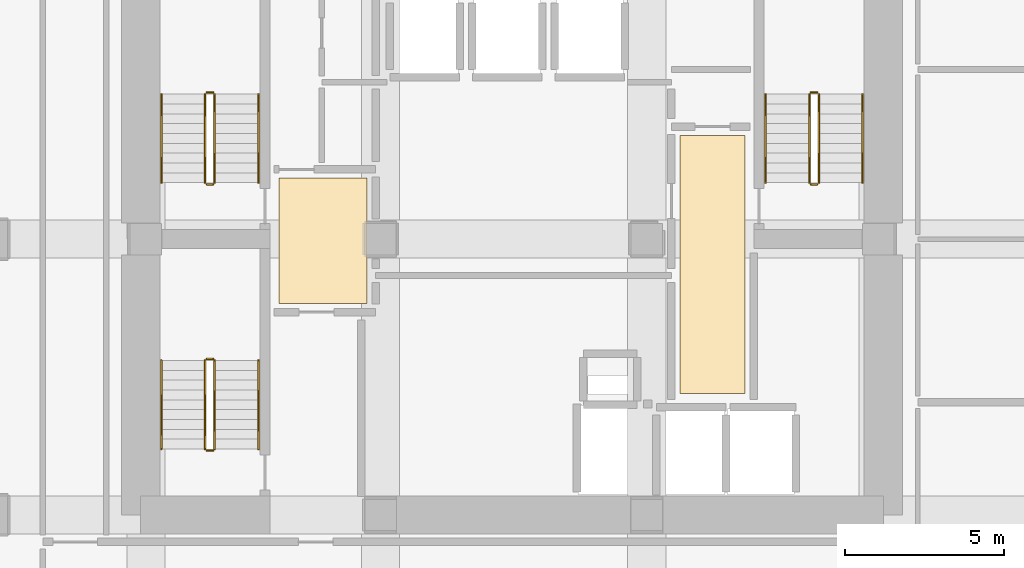
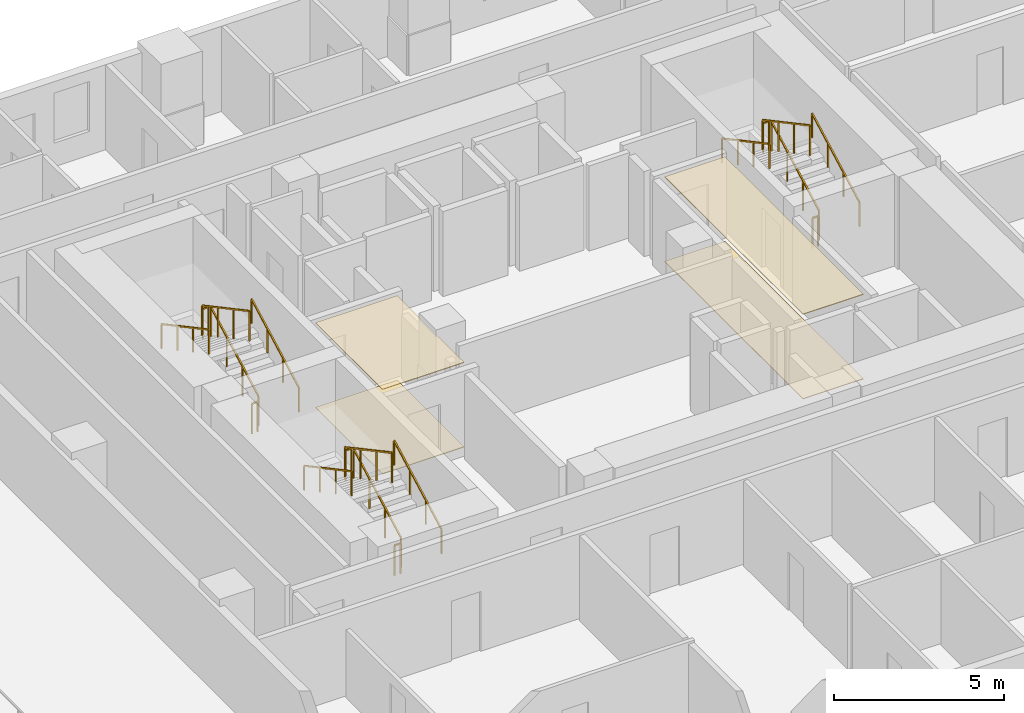
# One storey, part 9 of 10: 18 railings, 4 coverings.
"""IFC4 building model written with IfcOpenShell, lengths in metres."""

from ifc_helpers import new_model, si_unit, direction, frame, origin, origin_2d, place, context, subcontext, project, spatial, polyline, rectangle, outline, extrude, material, layer, layer_set, type_object, element, save


model = new_model("IFC4")

# Units and contexts
model_context = context("Model", 3, precision=1e-05, world=origin(), true_north=direction((0.0, 1.0)))
body_context = subcontext(model_context, "Body", "Model", "MODEL_VIEW")
ifc_project = project(units=[si_unit("LENGTHUNIT", "METRE"), si_unit("AREAUNIT", "SQUARE_METRE"), si_unit("VOLUMEUNIT", "CUBIC_METRE"), si_unit("PLANEANGLEUNIT", "RADIAN"), si_unit("MASSUNIT", "GRAM", prefix="KILO")], contexts=[model_context])

# Site, building, storey
site_placement = place(None, origin())
site = spatial("IfcSite", under=ifc_project, at=site_placement, CompositionType="ELEMENT")
building_placement = place(site_placement, origin())
building = spatial("IfcBuilding", under=site, at=building_placement, Name="Solanera Arch Residences", CompositionType="ELEMENT")
storey_placement = place(building_placement, frame((0.0, 0.0, 41.919921875)))
storey = spatial("IfcBuildingStorey", under=building, at=storey_placement, Name="L11", CompositionType="ELEMENT", Elevation=41.919921875)

# Coverings
ifc_material_1 = material(Name="Porcelain Acoustic Floor Tile", Category="ceramic")
ifc_layer_1 = layer(ifc_material_1, 0.02001953125)
ifc_layer_set_1 = layer_set([ifc_layer_1], Name="Porcelain Acoustic Floor Tile")
covering_type_1 = type_object("IfcCoveringType", Name="Porcelain Acoustic Floor Finish FLR-20", PredefinedType="FLOORING", material=ifc_layer_set_1)
covering_1_placement = place(storey_placement, origin())
element("IfcCovering", 1, at=covering_1_placement, inside=storey, type_object=covering_type_1, Name="L11-FFL-W Porcelain Floor Finish", PredefinedType="FLOORING", context=body_context, shape_type="SweptSolid", body=[
    extrude(outline(polyline([(20.375, 28.675048828125), (17.594970703125, 28.675048828125), (17.594970703125, 32.625), (20.375, 32.625), (20.375, 28.675048828125)])), origin(), (0.0, 0.0, 1.0), 0.02001953125),
])
covering_2_placement = place(storey_placement, origin())
element("IfcCovering", 2, at=covering_2_placement, inside=storey, type_object=covering_type_1, Name="L11-FFL-E Porcelain Floor Finish", PredefinedType="FLOORING", context=body_context, shape_type="SweptSolid", body=[
    extrude(outline(polyline([(32.304931640625, 25.824951171875), (30.25, 25.824951171875), (30.25, 33.97509765625), (32.304931640625, 33.97509765625), (32.304931640625, 25.824951171875)])), origin(), (0.0, 0.0, 1.0), 0.02001953125),
])

# Railings
ifc_material_2 = material(Name="Steel S355 (ASTM A992 / A572 Grade 50)", Category="steel")
railing_type_1 = type_object("IfcRailingType", Name="Stair Guardrail GR-1100", PredefinedType="GUARDRAIL", material=ifc_material_2)
railing_1_placement = place(storey_placement, frame((15.570068359375, 32.47998046875, 0.151123046875)))
element("IfcRailing", 3, at=railing_1_placement, inside=storey, type_object=railing_type_1, Name="L11 ST-T1 stair guard 1", PredefinedType="GUARDRAIL", context=body_context, shape_type="SweptSolid", body=[
    extrude(rectangle(XDim=0.048095703125, YDim=0.048095703125, at=origin_2d()), frame((0.0, 0.0, 1.076171875), z_axis=(0.0, 0.881580869306, 0.472033018838), x_axis=(-1.0, 0.0, 0.0)), (0.0, 0.0, 1.0), 3.164794921875),
    extrude(rectangle(XDim=0.0419921875, YDim=0.0419921875, at=origin_2d()), origin(), (0.0, 0.0, 1.0), 1.052001953125),
    extrude(rectangle(XDim=0.0419921875, YDim=0.0419921875, at=origin_2d()), frame((0.0, 0.929931640625, 0.498046875)), (0.0, 0.0, 1.0), 1.052001953125),
    extrude(rectangle(XDim=0.0419921875, YDim=0.0419921875, at=origin_2d()), frame((0.0, 1.860107421875, 0.995849609375)), (0.0, 0.0, 1.0), 1.052001953125),
    extrude(rectangle(XDim=0.0419921875, YDim=0.0419921875, at=origin_2d()), frame((0.0, 2.7900390625, 1.493896484375)), (0.0, 0.0, 1.0), 1.052001953125),
])
railing_2_placement = place(storey_placement, frame((15.52001953125, 35.320068359375, 1.64501953125)))
element("IfcRailing", 4, at=railing_2_placement, inside=storey, type_object=railing_type_1, Name="L11 ST-T1 stair guard 2", PredefinedType="GUARDRAIL", context=body_context, shape_type="SweptSolid", body=[
    extrude(rectangle(XDim=0.048095703125, YDim=0.048095703125, at=origin_2d()), frame((0.0, 0.0, 1.076171875), z_axis=(-1.0, 0.0, 0.0), x_axis=(0.0, -1.0, 0.0)), (0.0, 0.0, 1.0), 0.199951171875),
    extrude(rectangle(XDim=0.0419921875, YDim=0.0419921875, at=origin_2d()), origin(), (0.0, 0.0, 1.0), 1.052001953125),
    extrude(rectangle(XDim=0.0419921875, YDim=0.0419921875, at=origin_2d()), frame((-0.199951171875, 0.0, 0.0)), (0.0, 0.0, 1.0), 1.052001953125),
])
railing_3_placement = place(storey_placement, frame((15.27001953125, 35.27001953125, 1.81103515625)))
element("IfcRailing", 5, at=railing_3_placement, inside=storey, type_object=railing_type_1, Name="L11 ST-T1 stair guard 3", PredefinedType="GUARDRAIL", context=body_context, shape_type="SweptSolid", body=[
    extrude(rectangle(XDim=0.048095703125, YDim=0.048095703125, at=origin_2d()), frame((0.0, 0.0, 1.076171875), z_axis=(0.0, -0.881548766853, 0.472092969298), x_axis=(1.0, 0.0, 0.0)), (0.0, 0.0, 1.0), 3.1650390625),
    extrude(rectangle(XDim=0.0419921875, YDim=0.0419921875, at=origin_2d()), origin(), (0.0, 0.0, 1.0), 1.052001953125),
    extrude(rectangle(XDim=0.0419921875, YDim=0.0419921875, at=origin_2d()), frame((0.0, -0.929931640625, 0.498046875)), (0.0, 0.0, 1.0), 1.052001953125),
    extrude(rectangle(XDim=0.0419921875, YDim=0.0419921875, at=origin_2d()), frame((0.0, -1.860107421875, 0.99609375)), (0.0, 0.0, 1.0), 1.052001953125),
    extrude(rectangle(XDim=0.0419921875, YDim=0.0419921875, at=origin_2d()), frame((0.0, -2.7900390625, 1.494140625)), (0.0, 0.0, 1.0), 1.052001953125),
])
railing_4_placement = place(storey_placement, frame((15.52001953125, 32.429931640625, -0.014892578125)))
element("IfcRailing", 6, at=railing_4_placement, inside=storey, type_object=railing_type_1, Name="L11 ST-T1 stair guard 4", PredefinedType="GUARDRAIL", context=body_context, shape_type="SweptSolid", body=[
    extrude(rectangle(XDim=0.048095703125, YDim=0.048095703125, at=origin_2d()), frame((0.0, 0.0, 1.076171875), z_axis=(-1.0, 0.0, 0.0), x_axis=(0.0, -1.0, 0.0)), (0.0, 0.0, 1.0), 0.199951171875),
    extrude(rectangle(XDim=0.0419921875, YDim=0.0419921875, at=origin_2d()), origin(), (0.0, 0.0, 1.0), 1.052001953125),
    extrude(rectangle(XDim=0.0419921875, YDim=0.0419921875, at=origin_2d()), frame((-0.199951171875, 0.0, 0.0)), (0.0, 0.0, 1.0), 1.052001953125),
])
railing_5_placement = place(storey_placement, frame((34.6298828125, 32.47998046875, 0.151123046875)))
element("IfcRailing", 7, at=railing_5_placement, inside=storey, type_object=railing_type_1, Name="L11 ST-T2 stair guard 1", PredefinedType="GUARDRAIL", context=body_context, shape_type="SweptSolid", body=[
    extrude(rectangle(XDim=0.048095703125, YDim=0.048095703125, at=origin_2d()), frame((0.0, 0.0, 1.076171875), z_axis=(0.0, 0.881580869306, 0.472033018838), x_axis=(-1.0, 0.0, 0.0)), (0.0, 0.0, 1.0), 3.164794921875),
    extrude(rectangle(XDim=0.0419921875, YDim=0.0419921875, at=origin_2d()), origin(), (0.0, 0.0, 1.0), 1.052001953125),
    extrude(rectangle(XDim=0.0419921875, YDim=0.0419921875, at=origin_2d()), frame((0.0, 0.929931640625, 0.498046875)), (0.0, 0.0, 1.0), 1.052001953125),
    extrude(rectangle(XDim=0.0419921875, YDim=0.0419921875, at=origin_2d()), frame((0.0, 1.860107421875, 0.995849609375)), (0.0, 0.0, 1.0), 1.052001953125),
    extrude(rectangle(XDim=0.0419921875, YDim=0.0419921875, at=origin_2d()), frame((0.0, 2.7900390625, 1.493896484375)), (0.0, 0.0, 1.0), 1.052001953125),
])
railing_6_placement = place(storey_placement, frame((34.580078125, 35.320068359375, 1.64501953125)))
element("IfcRailing", 8, at=railing_6_placement, inside=storey, type_object=railing_type_1, Name="L11 ST-T2 stair guard 2", PredefinedType="GUARDRAIL", context=body_context, shape_type="SweptSolid", body=[
    extrude(rectangle(XDim=0.048095703125, YDim=0.048095703125, at=origin_2d()), frame((0.0, 0.0, 1.076171875), z_axis=(-1.0, 0.0, 0.0), x_axis=(0.0, -1.0, 0.0)), (0.0, 0.0, 1.0), 0.2001953125),
    extrude(rectangle(XDim=0.0419921875, YDim=0.0419921875, at=origin_2d()), origin(), (0.0, 0.0, 1.0), 1.052001953125),
    extrude(rectangle(XDim=0.0419921875, YDim=0.0419921875, at=origin_2d()), frame((-0.2001953125, 0.0, 0.0)), (0.0, 0.0, 1.0), 1.052001953125),
])
railing_7_placement = place(storey_placement, frame((34.330078125, 35.27001953125, 1.81103515625)))
element("IfcRailing", 9, at=railing_7_placement, inside=storey, type_object=railing_type_1, Name="L11 ST-T2 stair guard 3", PredefinedType="GUARDRAIL", context=body_context, shape_type="SweptSolid", body=[
    extrude(rectangle(XDim=0.048095703125, YDim=0.048095703125, at=origin_2d()), frame((0.0, 0.0, 1.076171875), z_axis=(0.0, -0.881548766853, 0.472092969298), x_axis=(1.0, 0.0, 0.0)), (0.0, 0.0, 1.0), 3.1650390625),
    extrude(rectangle(XDim=0.0419921875, YDim=0.0419921875, at=origin_2d()), origin(), (0.0, 0.0, 1.0), 1.052001953125),
    extrude(rectangle(XDim=0.0419921875, YDim=0.0419921875, at=origin_2d()), frame((0.0, -0.929931640625, 0.498046875)), (0.0, 0.0, 1.0), 1.052001953125),
    extrude(rectangle(XDim=0.0419921875, YDim=0.0419921875, at=origin_2d()), frame((0.0, -1.860107421875, 0.99609375)), (0.0, 0.0, 1.0), 1.052001953125),
    extrude(rectangle(XDim=0.0419921875, YDim=0.0419921875, at=origin_2d()), frame((0.0, -2.7900390625, 1.494140625)), (0.0, 0.0, 1.0), 1.052001953125),
])
railing_8_placement = place(storey_placement, frame((34.580078125, 32.429931640625, -0.014892578125)))
element("IfcRailing", 10, at=railing_8_placement, inside=storey, type_object=railing_type_1, Name="L11 ST-T2 stair guard 4", PredefinedType="GUARDRAIL", context=body_context, shape_type="SweptSolid", body=[
    extrude(rectangle(XDim=0.048095703125, YDim=0.048095703125, at=origin_2d()), frame((0.0, 0.0, 1.076171875), z_axis=(-1.0, 0.0, 0.0), x_axis=(0.0, -1.0, 0.0)), (0.0, 0.0, 1.0), 0.2001953125),
    extrude(rectangle(XDim=0.0419921875, YDim=0.0419921875, at=origin_2d()), origin(), (0.0, 0.0, 1.0), 1.052001953125),
    extrude(rectangle(XDim=0.0419921875, YDim=0.0419921875, at=origin_2d()), frame((-0.2001953125, 0.0, 0.0)), (0.0, 0.0, 1.0), 1.052001953125),
])
railing_9_placement = place(storey_placement, frame((15.570068359375, 24.080078125, 0.151123046875)))
element("IfcRailing", 11, at=railing_9_placement, inside=storey, type_object=railing_type_1, Name="L11 ST-T3 stair guard 1", PredefinedType="GUARDRAIL", context=body_context, shape_type="SweptSolid", body=[
    extrude(rectangle(XDim=0.048095703125, YDim=0.048095703125, at=origin_2d()), frame((0.0, 0.0, 1.076171875), z_axis=(0.0, 0.881580869306, 0.472033018838), x_axis=(-1.0, 0.0, 0.0)), (0.0, 0.0, 1.0), 3.164794921875),
    extrude(rectangle(XDim=0.0419921875, YDim=0.0419921875, at=origin_2d()), origin(), (0.0, 0.0, 1.0), 1.052001953125),
    extrude(rectangle(XDim=0.0419921875, YDim=0.0419921875, at=origin_2d()), frame((0.0, 0.929931640625, 0.498046875)), (0.0, 0.0, 1.0), 1.052001953125),
    extrude(rectangle(XDim=0.0419921875, YDim=0.0419921875, at=origin_2d()), frame((0.0, 1.860107421875, 0.995849609375)), (0.0, 0.0, 1.0), 1.052001953125),
    extrude(rectangle(XDim=0.0419921875, YDim=0.0419921875, at=origin_2d()), frame((0.0, 2.7900390625, 1.493896484375)), (0.0, 0.0, 1.0), 1.052001953125),
])
railing_10_placement = place(storey_placement, frame((15.52001953125, 26.919921875, 1.64501953125)))
element("IfcRailing", 12, at=railing_10_placement, inside=storey, type_object=railing_type_1, Name="L11 ST-T3 stair guard 2", PredefinedType="GUARDRAIL", context=body_context, shape_type="SweptSolid", body=[
    extrude(rectangle(XDim=0.048095703125, YDim=0.048095703125, at=origin_2d()), frame((0.0, 0.0, 1.076171875), z_axis=(-1.0, 0.0, 0.0), x_axis=(0.0, -1.0, 0.0)), (0.0, 0.0, 1.0), 0.199951171875),
    extrude(rectangle(XDim=0.0419921875, YDim=0.0419921875, at=origin_2d()), origin(), (0.0, 0.0, 1.0), 1.052001953125),
    extrude(rectangle(XDim=0.0419921875, YDim=0.0419921875, at=origin_2d()), frame((-0.199951171875, 0.0, 0.0)), (0.0, 0.0, 1.0), 1.052001953125),
])
railing_11_placement = place(storey_placement, frame((15.27001953125, 26.8701171875, 1.81103515625)))
element("IfcRailing", 13, at=railing_11_placement, inside=storey, type_object=railing_type_1, Name="L11 ST-T3 stair guard 3", PredefinedType="GUARDRAIL", context=body_context, shape_type="SweptSolid", body=[
    extrude(rectangle(XDim=0.048095703125, YDim=0.048095703125, at=origin_2d()), frame((0.0, 0.0, 1.076171875), z_axis=(0.0, -0.881548766853, 0.472092969298), x_axis=(1.0, 0.0, 0.0)), (0.0, 0.0, 1.0), 3.1650390625),
    extrude(rectangle(XDim=0.0419921875, YDim=0.0419921875, at=origin_2d()), origin(), (0.0, 0.0, 1.0), 1.052001953125),
    extrude(rectangle(XDim=0.0419921875, YDim=0.0419921875, at=origin_2d()), frame((0.0, -0.929931640625, 0.498046875)), (0.0, 0.0, 1.0), 1.052001953125),
    extrude(rectangle(XDim=0.0419921875, YDim=0.0419921875, at=origin_2d()), frame((0.0, -1.860107421875, 0.99609375)), (0.0, 0.0, 1.0), 1.052001953125),
    extrude(rectangle(XDim=0.0419921875, YDim=0.0419921875, at=origin_2d()), frame((0.0, -2.7900390625, 1.494140625)), (0.0, 0.0, 1.0), 1.052001953125),
])
railing_12_placement = place(storey_placement, frame((15.52001953125, 24.030029296875, -0.014892578125)))
element("IfcRailing", 14, at=railing_12_placement, inside=storey, type_object=railing_type_1, Name="L11 ST-T3 stair guard 4", PredefinedType="GUARDRAIL", context=body_context, shape_type="SweptSolid", body=[
    extrude(rectangle(XDim=0.048095703125, YDim=0.048095703125, at=origin_2d()), frame((0.0, 0.0, 1.076171875), z_axis=(-1.0, 0.0, 0.0), x_axis=(0.0, -1.0, 0.0)), (0.0, 0.0, 1.0), 0.199951171875),
    extrude(rectangle(XDim=0.0419921875, YDim=0.0419921875, at=origin_2d()), origin(), (0.0, 0.0, 1.0), 1.052001953125),
    extrude(rectangle(XDim=0.0419921875, YDim=0.0419921875, at=origin_2d()), frame((-0.199951171875, 0.0, 0.0)), (0.0, 0.0, 1.0), 1.052001953125),
])
ifc_material_3 = material(Name="Steel S355 (ASTM A992 / A572 Grade 50)", Category="steel")
railing_type_2 = type_object("IfcRailingType", Name="Stair Wall Handrail HR-920", PredefinedType="HANDRAIL", material=ifc_material_3)
railing_13_placement = place(storey_placement, frame((16.949951171875, 32.47998046875, 0.166015625)))
element("IfcRailing", 15, at=railing_13_placement, inside=storey, type_object=railing_type_2, Name="L11 ST-T1 stair handrail 1", PredefinedType="HANDRAIL", context=body_context, shape_type="SweptSolid", body=[
    extrude(rectangle(XDim=0.048095703125, YDim=0.048095703125, at=origin_2d()), frame((0.0, 0.0, 0.8759765625), z_axis=(0.0, 0.881548766853, 0.472092969298), x_axis=(-1.0, 0.0, 0.0)), (0.0, 0.0, 1.0), 3.1650390625),
    extrude(rectangle(XDim=0.0419921875, YDim=0.0419921875, at=origin_2d()), origin(), (0.0, 0.0, 1.0), 0.851806640625),
    extrude(rectangle(XDim=0.0419921875, YDim=0.0419921875, at=origin_2d()), frame((0.0, 0.929931640625, 0.498046875)), (0.0, 0.0, 1.0), 0.851806640625),
    extrude(rectangle(XDim=0.0419921875, YDim=0.0419921875, at=origin_2d()), frame((0.0, 1.860107421875, 0.99609375)), (0.0, 0.0, 1.0), 0.851806640625),
    extrude(rectangle(XDim=0.0419921875, YDim=0.0419921875, at=origin_2d()), frame((0.0, 2.7900390625, 1.494140625)), (0.0, 0.0, 1.0), 0.851806640625),
])
railing_14_placement = place(storey_placement, frame((13.889892578125, 35.27001953125, 1.826171875)))
element("IfcRailing", 16, at=railing_14_placement, inside=storey, type_object=railing_type_2, Name="L11 ST-T1 stair handrail 2", PredefinedType="HANDRAIL", context=body_context, shape_type="SweptSolid", body=[
    extrude(rectangle(XDim=0.048095703125, YDim=0.048095703125, at=origin_2d()), frame((0.0, 0.0, 0.8759765625), z_axis=(0.0, -0.881580869306, 0.472033018838), x_axis=(1.0, 0.0, 0.0)), (0.0, 0.0, 1.0), 3.164794921875),
    extrude(rectangle(XDim=0.0419921875, YDim=0.0419921875, at=origin_2d()), origin(), (0.0, 0.0, 1.0), 0.851806640625),
    extrude(rectangle(XDim=0.0419921875, YDim=0.0419921875, at=origin_2d()), frame((0.0, -0.929931640625, 0.498046875)), (0.0, 0.0, 1.0), 0.851806640625),
    extrude(rectangle(XDim=0.0419921875, YDim=0.0419921875, at=origin_2d()), frame((0.0, -1.860107421875, 0.995849609375)), (0.0, 0.0, 1.0), 0.851806640625),
    extrude(rectangle(XDim=0.0419921875, YDim=0.0419921875, at=origin_2d()), frame((0.0, -2.7900390625, 1.493896484375)), (0.0, 0.0, 1.0), 0.851806640625),
])
railing_15_placement = place(storey_placement, frame((36.010009765625, 32.47998046875, 0.166015625)))
element("IfcRailing", 17, at=railing_15_placement, inside=storey, type_object=railing_type_2, Name="L11 ST-T2 stair handrail 1", PredefinedType="HANDRAIL", context=body_context, shape_type="SweptSolid", body=[
    extrude(rectangle(XDim=0.048095703125, YDim=0.048095703125, at=origin_2d()), frame((0.0, 0.0, 0.8759765625), z_axis=(0.0, 0.881548766853, 0.472092969298), x_axis=(-1.0, 0.0, 0.0)), (0.0, 0.0, 1.0), 3.1650390625),
    extrude(rectangle(XDim=0.0419921875, YDim=0.0419921875, at=origin_2d()), origin(), (0.0, 0.0, 1.0), 0.851806640625),
    extrude(rectangle(XDim=0.0419921875, YDim=0.0419921875, at=origin_2d()), frame((0.0, 0.929931640625, 0.498046875)), (0.0, 0.0, 1.0), 0.851806640625),
    extrude(rectangle(XDim=0.0419921875, YDim=0.0419921875, at=origin_2d()), frame((0.0, 1.860107421875, 0.99609375)), (0.0, 0.0, 1.0), 0.851806640625),
    extrude(rectangle(XDim=0.0419921875, YDim=0.0419921875, at=origin_2d()), frame((0.0, 2.7900390625, 1.494140625)), (0.0, 0.0, 1.0), 0.851806640625),
])
railing_16_placement = place(storey_placement, frame((32.949951171875, 35.27001953125, 1.826171875)))
element("IfcRailing", 18, at=railing_16_placement, inside=storey, type_object=railing_type_2, Name="L11 ST-T2 stair handrail 2", PredefinedType="HANDRAIL", context=body_context, shape_type="SweptSolid", body=[
    extrude(rectangle(XDim=0.048095703125, YDim=0.048095703125, at=origin_2d()), frame((0.0, 0.0, 0.8759765625), z_axis=(0.0, -0.881580869306, 0.472033018838), x_axis=(1.0, 0.0, 0.0)), (0.0, 0.0, 1.0), 3.164794921875),
    extrude(rectangle(XDim=0.0419921875, YDim=0.0419921875, at=origin_2d()), origin(), (0.0, 0.0, 1.0), 0.851806640625),
    extrude(rectangle(XDim=0.0419921875, YDim=0.0419921875, at=origin_2d()), frame((0.0, -0.929931640625, 0.498046875)), (0.0, 0.0, 1.0), 0.851806640625),
    extrude(rectangle(XDim=0.0419921875, YDim=0.0419921875, at=origin_2d()), frame((0.0, -1.860107421875, 0.995849609375)), (0.0, 0.0, 1.0), 0.851806640625),
    extrude(rectangle(XDim=0.0419921875, YDim=0.0419921875, at=origin_2d()), frame((0.0, -2.7900390625, 1.493896484375)), (0.0, 0.0, 1.0), 0.851806640625),
])
railing_17_placement = place(storey_placement, frame((16.949951171875, 24.080078125, 0.166015625)))
element("IfcRailing", 19, at=railing_17_placement, inside=storey, type_object=railing_type_2, Name="L11 ST-T3 stair handrail 1", PredefinedType="HANDRAIL", context=body_context, shape_type="SweptSolid", body=[
    extrude(rectangle(XDim=0.048095703125, YDim=0.048095703125, at=origin_2d()), frame((0.0, 0.0, 0.8759765625), z_axis=(0.0, 0.881548766853, 0.472092969298), x_axis=(-1.0, 0.0, 0.0)), (0.0, 0.0, 1.0), 3.1650390625),
    extrude(rectangle(XDim=0.0419921875, YDim=0.0419921875, at=origin_2d()), origin(), (0.0, 0.0, 1.0), 0.851806640625),
    extrude(rectangle(XDim=0.0419921875, YDim=0.0419921875, at=origin_2d()), frame((0.0, 0.929931640625, 0.498046875)), (0.0, 0.0, 1.0), 0.851806640625),
    extrude(rectangle(XDim=0.0419921875, YDim=0.0419921875, at=origin_2d()), frame((0.0, 1.860107421875, 0.99609375)), (0.0, 0.0, 1.0), 0.851806640625),
    extrude(rectangle(XDim=0.0419921875, YDim=0.0419921875, at=origin_2d()), frame((0.0, 2.7900390625, 1.494140625)), (0.0, 0.0, 1.0), 0.851806640625),
])
railing_18_placement = place(storey_placement, frame((13.889892578125, 26.8701171875, 1.826171875)))
element("IfcRailing", 20, at=railing_18_placement, inside=storey, type_object=railing_type_2, Name="L11 ST-T3 stair handrail 2", PredefinedType="HANDRAIL", context=body_context, shape_type="SweptSolid", body=[
    extrude(rectangle(XDim=0.048095703125, YDim=0.048095703125, at=origin_2d()), frame((0.0, 0.0, 0.8759765625), z_axis=(0.0, -0.881580869306, 0.472033018838), x_axis=(1.0, 0.0, 0.0)), (0.0, 0.0, 1.0), 3.164794921875),
    extrude(rectangle(XDim=0.0419921875, YDim=0.0419921875, at=origin_2d()), origin(), (0.0, 0.0, 1.0), 0.851806640625),
    extrude(rectangle(XDim=0.0419921875, YDim=0.0419921875, at=origin_2d()), frame((0.0, -0.929931640625, 0.498046875)), (0.0, 0.0, 1.0), 0.851806640625),
    extrude(rectangle(XDim=0.0419921875, YDim=0.0419921875, at=origin_2d()), frame((0.0, -1.860107421875, 0.995849609375)), (0.0, 0.0, 1.0), 0.851806640625),
    extrude(rectangle(XDim=0.0419921875, YDim=0.0419921875, at=origin_2d()), frame((0.0, -2.7900390625, 1.493896484375)), (0.0, 0.0, 1.0), 0.851806640625),
])

# Coverings
ifc_material_4 = material(Name="Mineral Fibre Acoustic Ceiling Board", Category="gypsum")
ifc_layer_2 = layer(ifc_material_4, 0.02490234375)
ifc_layer_set_2 = layer_set([ifc_layer_2], Name="Mineral Fibre Acoustic Ceiling Board")
covering_type_2 = type_object("IfcCoveringType", Name="Suspended Acoustic Ceiling Board CLG-25", PredefinedType="CEILING", material=ifc_layer_set_2)
covering_3_placement = place(storey_placement, frame((0.0, 0.0, 3.03515625)))
element("IfcCovering", 21, at=covering_3_placement, inside=storey, type_object=covering_type_2, Name="L11-FFL-W Acoustic Ceiling", PredefinedType="CEILING", context=body_context, shape_type="SweptSolid", body=[
    extrude(outline(polyline([(20.375, 28.675048828125), (17.594970703125, 28.675048828125), (17.594970703125, 32.625), (20.375, 32.625), (20.375, 28.675048828125)])), origin(), (0.0, 0.0, 1.0), 0.02490234375),
])
covering_4_placement = place(storey_placement, frame((0.0, 0.0, 3.03515625)))
element("IfcCovering", 22, at=covering_4_placement, inside=storey, type_object=covering_type_2, Name="L11-FFL-E Acoustic Ceiling", PredefinedType="CEILING", context=body_context, shape_type="SweptSolid", body=[
    extrude(outline(polyline([(32.304931640625, 25.824951171875), (30.25, 25.824951171875), (30.25, 33.97509765625), (32.304931640625, 33.97509765625), (32.304931640625, 25.824951171875)])), origin(), (0.0, 0.0, 1.0), 0.02490234375),
])

save(model, "model.ifc")
